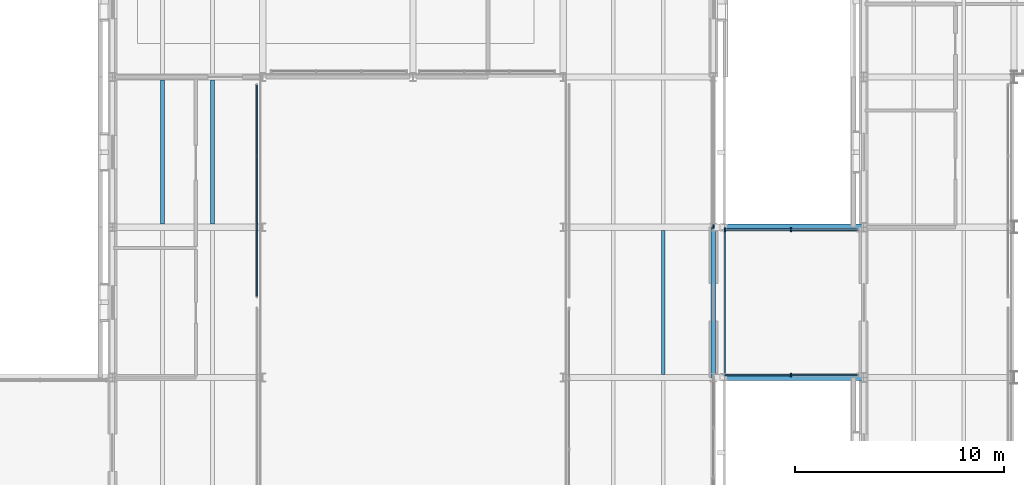
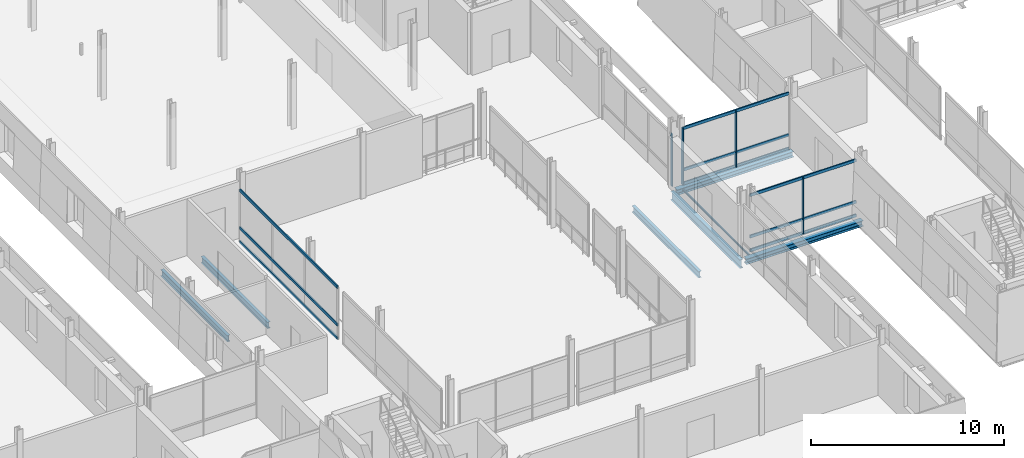
# One storey, part 24 of 115: 13 members, 7 beams, 4 elements without a shape of their own.
"""IFC4 building model written with IfcOpenShell, lengths in metres."""

from ifc_helpers import new_model, si_unit, direction, frame, origin, origin_2d, place, context, subcontext, project, spatial, rectangle, i_section, extrude, material, layer, layer_set, material_profile, profile_set, type_object, element, aggregate, save


model = new_model("IFC4")

# Units and contexts
model_context = context("Model", 3, precision=1e-05, world=origin(), true_north=direction((0.0, 1.0)))
body_context = subcontext(model_context, "Body", "Model", "MODEL_VIEW")
ifc_project = project(units=[si_unit("LENGTHUNIT", "METRE"), si_unit("AREAUNIT", "SQUARE_METRE"), si_unit("VOLUMEUNIT", "CUBIC_METRE"), si_unit("PLANEANGLEUNIT", "RADIAN"), si_unit("MASSUNIT", "GRAM", prefix="KILO")], contexts=[model_context])

# Site, building, storey
site_placement = place(None, origin())
site = spatial("IfcSite", under=ifc_project, at=site_placement, CompositionType="ELEMENT")
building_placement = place(site_placement, origin())
building = spatial("IfcBuilding", under=site, at=building_placement, Name="Narikvali Park Central Library", CompositionType="ELEMENT")
storey_placement = place(building_placement, frame((0.0, 0.0, 10.199951171875)))
storey = spatial("IfcBuildingStorey", under=building, at=storey_placement, Name="L02", CompositionType="ELEMENT", Elevation=10.199951171875)

# Beams
ifc_material_1 = material(Name="Steel S355", Category="steel")
ifc_material_profile_1 = material_profile(ifc_material_1, i_section(OverallWidth=0.300048828125, OverallDepth=0.35009765625, WebThickness=0.010009765625, FlangeThickness=0.017578125, FilletRadius=0.027099609375, at=origin_2d()), Name="HEA 360")
ifc_profile_set_1 = profile_set([ifc_material_profile_1], Name="Steel S355")
beam_type_1 = type_object("IfcBeamType", Name="Bridge Sliding Girder HEA360", PredefinedType="BEAM", material=ifc_profile_set_1)
for number, where, z_axis, x_axis, name in (
    (1, (57.820068359375, 72.0, -0.425048828125), (1.0, 0.0, 0.0), (0.0, 1.0, 0.0), "BRG-2 L02 Sliding Bridge Girder 1-1"),
    (2, (57.820068359375, 79.199951171875, -0.425048828125), (1.0, 0.0, 0.0), (0.0, 1.0, 0.0), "BRG-2 L02 Sliding Bridge Girder 2-1"),
):
    element("IfcBeam", number, at=place(storey_placement, frame(where, z_axis=z_axis, x_axis=x_axis)), inside=storey, type_object=beam_type_1, Name=name, PredefinedType="BEAM", context=body_context, shape_type="SweptSolid", body=[
        extrude(i_section(OverallWidth=0.300048828125, OverallDepth=0.35009765625, WebThickness=0.010009765625, FlangeThickness=0.017578125, FilletRadius=0.027099609375, at=origin_2d()), origin(), (0.0, 0.0, 1.0), 6.969970703125),
    ])

# Curtain wall, members
ifc_material_2 = material(Name="Anodised Bronze Aluminium", Category="aluminium")
ifc_layer_1 = layer(ifc_material_2, 0.219970703125, Name="Anodised Bronze Aluminium")
ifc_layer_set_1 = layer_set([ifc_layer_1], Name="Anodised Bronze Aluminium")
curtain_wall_type_1 = type_object("IfcCurtainWallType", Name="Bridge Covered Passage Glazing System", PredefinedType="NOTDEFINED", material=ifc_layer_set_1)
curtain_wall_1_placement = place(storey_placement, origin())
curtain_wall_1 = element("IfcCurtainWall", 3, at=curtain_wall_1_placement, inside=storey, type_object=curtain_wall_type_1, Name="Bridge Covered Passage Glazing System CW-BRG-2-L02-S1", PredefinedType="NOTDEFINED")
ifc_material_profile_2 = material_profile(ifc_material_2, rectangle(XDim=0.074951171875, YDim=0.179931640625, at=origin_2d()), Name="CW TRANSOM 75x180")
ifc_profile_set_2 = profile_set([ifc_material_profile_2], Name="Anodised Bronze Aluminium")
member_type_1 = type_object("IfcMemberType", Name="Curtain Wall Heavy Transom 75x180", PredefinedType="USERDEFINED", material=ifc_profile_set_2)
member_1_placement = place(storey_placement, frame((58.14990234375, 72.1201171875, 0.030029296875), z_axis=(1.0, 0.0, 0.0), x_axis=(0.0, 1.0, 0.0)))
member_1 = element("IfcMember", 4, at=member_1_placement, type_object=member_type_1, Name="CW-BRG-2-L02-S1 Transom 00", ObjectType="TRANSOM", PredefinedType="USERDEFINED", context=body_context, shape_type="SweptSolid", body=[
    extrude(rectangle(XDim=0.074951171875, YDim=0.179931640625, at=origin_2d()), origin(), (0.0, 0.0, 1.0), 6.35009765625),
])
member_2_placement = place(storey_placement, frame((58.14990234375, 72.1201171875, 0.900146484375), z_axis=(1.0, 0.0, 0.0), x_axis=(0.0, 1.0, 0.0)))
member_2 = element("IfcMember", 5, at=member_2_placement, type_object=member_type_1, Name="CW-BRG-2-L02-S1 Transom 01", ObjectType="TRANSOM", PredefinedType="USERDEFINED", context=body_context, shape_type="SweptSolid", body=[
    extrude(rectangle(XDim=0.074951171875, YDim=0.179931640625, at=origin_2d()), origin(), (0.0, 0.0, 1.0), 6.35009765625),
])
member_3_placement = place(storey_placement, frame((58.14990234375, 72.1201171875, 3.52001953125), z_axis=(1.0, 0.0, 0.0), x_axis=(0.0, 1.0, 0.0)))
member_3 = element("IfcMember", 6, at=member_3_placement, type_object=member_type_1, Name="CW-BRG-2-L02-S1 Transom 02", ObjectType="TRANSOM", PredefinedType="USERDEFINED", context=body_context, shape_type="SweptSolid", body=[
    extrude(rectangle(XDim=0.074951171875, YDim=0.179931640625, at=origin_2d()), origin(), (0.0, 0.0, 1.0), 6.35009765625),
])

curtain_wall_2_placement = place(storey_placement, origin())
curtain_wall_2 = element("IfcCurtainWall", 7, at=curtain_wall_2_placement, inside=storey, type_object=curtain_wall_type_1, Name="Bridge Covered Passage Glazing System CW-BRG-2-L02-N1", PredefinedType="NOTDEFINED")
member_4_placement = place(storey_placement, frame((58.14990234375, 79.080078125, 0.030029296875), z_axis=(1.0, 0.0, 0.0), x_axis=(0.0, 1.0, 0.0)))
member_4 = element("IfcMember", 8, at=member_4_placement, type_object=member_type_1, Name="CW-BRG-2-L02-N1 Transom 00", ObjectType="TRANSOM", PredefinedType="USERDEFINED", context=body_context, shape_type="SweptSolid", body=[
    extrude(rectangle(XDim=0.074951171875, YDim=0.179931640625, at=origin_2d()), origin(), (0.0, 0.0, 1.0), 6.35009765625),
])
member_5_placement = place(storey_placement, frame((58.14990234375, 79.080078125, 0.900146484375), z_axis=(1.0, 0.0, 0.0), x_axis=(0.0, 1.0, 0.0)))
member_5 = element("IfcMember", 9, at=member_5_placement, type_object=member_type_1, Name="CW-BRG-2-L02-N1 Transom 01", ObjectType="TRANSOM", PredefinedType="USERDEFINED", context=body_context, shape_type="SweptSolid", body=[
    extrude(rectangle(XDim=0.074951171875, YDim=0.179931640625, at=origin_2d()), origin(), (0.0, 0.0, 1.0), 6.35009765625),
])
member_6_placement = place(storey_placement, frame((58.14990234375, 79.080078125, 3.52001953125), z_axis=(1.0, 0.0, 0.0), x_axis=(0.0, 1.0, 0.0)))
member_6 = element("IfcMember", 10, at=member_6_placement, type_object=member_type_1, Name="CW-BRG-2-L02-N1 Transom 02", ObjectType="TRANSOM", PredefinedType="USERDEFINED", context=body_context, shape_type="SweptSolid", body=[
    extrude(rectangle(XDim=0.074951171875, YDim=0.179931640625, at=origin_2d()), origin(), (0.0, 0.0, 1.0), 6.35009765625),
])

ifc_layer_2 = layer(ifc_material_2, 0.219970703125, Name="Anodised Bronze Aluminium")
ifc_layer_set_2 = layer_set([ifc_layer_2], Name="Anodised Bronze Aluminium")
curtain_wall_type_2 = type_object("IfcCurtainWallType", Name="Atrium Tall Curtain Wall System", PredefinedType="NOTDEFINED", material=ifc_layer_set_2)
curtain_wall_3_placement = place(storey_placement, origin())
curtain_wall_3 = element("IfcCurtainWall", 11, at=curtain_wall_3_placement, inside=storey, type_object=curtain_wall_type_2, Name="Atrium Tall Curtain Wall System CW-INT-V4-L02-W2", PredefinedType="NOTDEFINED")
member_7_placement = place(storey_placement, frame((35.719970703125, 75.89990234375, 0.030029296875), z_axis=(0.0, 1.0, 0.0), x_axis=(-1.0, 0.0, 0.0)))
member_7 = element("IfcMember", 12, at=member_7_placement, type_object=member_type_1, Name="CW-INT-V4-L02-W2 Transom 00", ObjectType="TRANSOM", PredefinedType="USERDEFINED", context=body_context, shape_type="SweptSolid", body=[
    extrude(rectangle(XDim=0.074951171875, YDim=0.179931640625, at=origin_2d()), origin(), (0.0, 0.0, 1.0), 10.10009765625),
])
member_8_placement = place(storey_placement, frame((35.719970703125, 75.89990234375, 0.900146484375), z_axis=(0.0, 1.0, 0.0), x_axis=(-1.0, 0.0, 0.0)))
member_8 = element("IfcMember", 13, at=member_8_placement, type_object=member_type_1, Name="CW-INT-V4-L02-W2 Transom 01", ObjectType="TRANSOM", PredefinedType="USERDEFINED", context=body_context, shape_type="SweptSolid", body=[
    extrude(rectangle(XDim=0.074951171875, YDim=0.179931640625, at=origin_2d()), origin(), (0.0, 0.0, 1.0), 10.10009765625),
])
member_9_placement = place(storey_placement, frame((35.719970703125, 75.89990234375, 3.27001953125), z_axis=(0.0, 1.0, 0.0), x_axis=(-1.0, 0.0, 0.0)))
member_9 = element("IfcMember", 14, at=member_9_placement, type_object=member_type_1, Name="CW-INT-V4-L02-W2 Transom 02", ObjectType="TRANSOM", PredefinedType="USERDEFINED", context=body_context, shape_type="SweptSolid", body=[
    extrude(rectangle(XDim=0.074951171875, YDim=0.179931640625, at=origin_2d()), origin(), (0.0, 0.0, 1.0), 10.10009765625),
])
aggregate(curtain_wall_3, [member_7, member_8, member_9])

# Curtain wall, member
curtain_wall_4_placement = place(storey_placement, origin())
curtain_wall_4 = element("IfcCurtainWall", 15, at=curtain_wall_4_placement, inside=storey, type_object=curtain_wall_type_2, Name="Atrium Tall Curtain Wall System CW-V4-L02-E-05", PredefinedType="NOTDEFINED")
ifc_material_profile_3 = material_profile(ifc_material_2, rectangle(XDim=0.06494140625, YDim=0.179931640625, at=origin_2d()), Name="CW MULLION 65x180")
ifc_profile_set_3 = profile_set([ifc_material_profile_3], Name="Anodised Bronze Aluminium")
member_type_2 = type_object("IfcMemberType", Name="Curtain Wall Mullion 65x180", PredefinedType="MULLION", material=ifc_profile_set_3)
member_10_placement = place(storey_placement, frame((57.60009765625, 79.238037109375, -0.010009765625), z_axis=(0.0, 0.0, 1.0), x_axis=(1.0, 0.0, 0.0)))
member_10 = element("IfcMember", 16, at=member_10_placement, type_object=member_type_2, Name="CW-V4-L02-E-05 Mullion 00", PredefinedType="MULLION", context=body_context, shape_type="SweptSolid", body=[
    extrude(rectangle(XDim=0.06494140625, YDim=0.179931640625, at=origin_2d()), origin(), (0.0, 0.0, 1.0), 3.31005859375),
])
aggregate(curtain_wall_4, [member_10])

# Member
member_11_placement = place(storey_placement, frame((61.324951171875, 72.1201171875, -0.010009765625), z_axis=(0.0, 0.0, 1.0), x_axis=(1.0, 0.0, 0.0)))
member_11 = element("IfcMember", 17, at=member_11_placement, type_object=member_type_2, Name="CW-BRG-2-L02-S1 Mullion 01", PredefinedType="MULLION", context=body_context, shape_type="SweptSolid", body=[
    extrude(rectangle(XDim=0.06494140625, YDim=0.179931640625, at=origin_2d()), origin(), (0.0, 0.0, 1.0), 3.56005859375),
])

aggregate(curtain_wall_1, [member_11, member_1, member_2, member_3])

member_12_placement = place(storey_placement, frame((58.14990234375, 79.080078125, -0.010009765625), z_axis=(0.0, 0.0, 1.0), x_axis=(1.0, 0.0, 0.0)))
member_12 = element("IfcMember", 18, at=member_12_placement, type_object=member_type_2, Name="CW-BRG-2-L02-N1 Mullion 00", PredefinedType="MULLION", context=body_context, shape_type="SweptSolid", body=[
    extrude(rectangle(XDim=0.06494140625, YDim=0.179931640625, at=origin_2d()), origin(), (0.0, 0.0, 1.0), 3.56005859375),
])

member_13_placement = place(storey_placement, frame((61.324951171875, 79.080078125, -0.010009765625), z_axis=(0.0, 0.0, 1.0), x_axis=(1.0, 0.0, 0.0)))
member_13 = element("IfcMember", 19, at=member_13_placement, type_object=member_type_2, Name="CW-BRG-2-L02-N1 Mullion 01", PredefinedType="MULLION", context=body_context, shape_type="SweptSolid", body=[
    extrude(rectangle(XDim=0.06494140625, YDim=0.179931640625, at=origin_2d()), origin(), (0.0, 0.0, 1.0), 3.56005859375),
])

aggregate(curtain_wall_2, [member_12, member_13, member_4, member_5, member_6])

# Beams
ifc_material_profile_4 = material_profile(ifc_material_1, i_section(OverallWidth=0.181884765625, OverallDepth=0.404052734375, WebThickness=0.009765625, FlangeThickness=0.015380859375, FilletRadius=0.02099609375, at=origin_2d()), Name="IPEO 400")
ifc_profile_set_4 = profile_set([ifc_material_profile_4], Name="Steel S355")
beam_type_2 = type_object("IfcBeamType", Name="Gallery Floor Joist IPEO400", PredefinedType="JOIST", material=ifc_profile_set_4)
for number, where, z_axis, x_axis, name in (
    (20, (31.199951171875, 79.35009765625, -0.48193359375), (0.0, 1.0, 0.0), (-1.0, 0.0, 0.0), "V4 L02 Composite Joist 1"),
    (21, (33.60009765625, 79.35009765625, -0.48193359375), (0.0, 1.0, 0.0), (-1.0, 0.0, 0.0), "V4 L02 Composite Joist 2"),
):
    element("IfcBeam", number, at=place(storey_placement, frame(where, z_axis=z_axis, x_axis=x_axis)), inside=storey, type_object=beam_type_2, Name=name, PredefinedType="JOIST", context=body_context, shape_type="SweptSolid", body=[
        extrude(i_section(OverallWidth=0.181884765625, OverallDepth=0.404052734375, WebThickness=0.009765625, FlangeThickness=0.015380859375, FilletRadius=0.02099609375, at=origin_2d()), origin(), (0.0, 0.0, 1.0), 6.89990234375),
    ])
beam_1_placement = place(storey_placement, frame((55.199951171875, 72.14990234375, -0.48193359375), z_axis=(0.0, 1.0, 0.0), x_axis=(-1.0, 0.0, 0.0)))
element("IfcBeam", 22, at=beam_1_placement, inside=storey, type_object=beam_type_2, Name="V4 L02 Composite Joist 2", PredefinedType="JOIST", context=body_context, shape_type="SweptSolid", body=[
    extrude(i_section(OverallWidth=0.181884765625, OverallDepth=0.404052734375, WebThickness=0.009765625, FlangeThickness=0.015380859375, FilletRadius=0.02099609375, at=origin_2d()), origin(), (0.0, 0.0, 1.0), 6.900146484375),
])
ifc_material_profile_5 = material_profile(ifc_material_1, i_section(OverallWidth=0.2099609375, OverallDepth=0.550048828125, WebThickness=0.010986328125, FlangeThickness=0.01708984375, FilletRadius=0.02392578125, at=origin_2d()), Name="IPE 550")
ifc_profile_set_5 = profile_set([ifc_material_profile_5], Name="Steel S355")
beam_type_3 = type_object("IfcBeamType", Name="Perimeter Spandrel IPE550", PredefinedType="SPANDREL", material=ifc_profile_set_5)
beam_2_placement = place(storey_placement, frame((57.60009765625, 72.008056640625, -0.554931640625), z_axis=(0.0, 1.0, 0.0), x_axis=(-1.0, 0.0, 0.0)))
element("IfcBeam", 23, at=beam_2_placement, inside=storey, type_object=beam_type_3, Name="V4 L02 Girder Y", PredefinedType="SPANDREL", context=body_context, shape_type="SweptSolid", body=[
    extrude(i_section(OverallWidth=0.2099609375, OverallDepth=0.550048828125, WebThickness=0.010986328125, FlangeThickness=0.01708984375, FilletRadius=0.02392578125, at=origin_2d()), origin(), (0.0, 0.0, 1.0), 7.183837890625),
])
ifc_material_profile_6 = material_profile(ifc_material_1, i_section(OverallWidth=0.06396484375, OverallDepth=0.1201171875, WebThickness=0.00439453125, FlangeThickness=0.00634765625, FilletRadius=0.007080078125, at=origin_2d()), Name="IPE 120")
ifc_profile_set_6 = profile_set([ifc_material_profile_6], Name="Steel S355")
beam_type_4 = type_object("IfcBeamType", Name="Skylight Curb Trimmer IPE120", PredefinedType="LINTEL", material=ifc_profile_set_6)
beam_3_placement = place(storey_placement, frame((58.14990234375, 72.159912109375, -0.31005859375), z_axis=(0.0, 1.0, 0.0), x_axis=(-1.0, 0.0, 0.0)))
element("IfcBeam", 24, at=beam_3_placement, inside=storey, type_object=beam_type_4, Name="BRG-2 L02 Portal Transverse Lintel", PredefinedType="LINTEL", context=body_context, shape_type="SweptSolid", body=[
    extrude(i_section(OverallWidth=0.06396484375, OverallDepth=0.1201171875, WebThickness=0.00439453125, FlangeThickness=0.00634765625, FilletRadius=0.007080078125, at=origin_2d()), origin(), (0.0, 0.0, 1.0), 6.880126953125),
])

save(model, "model.ifc")
